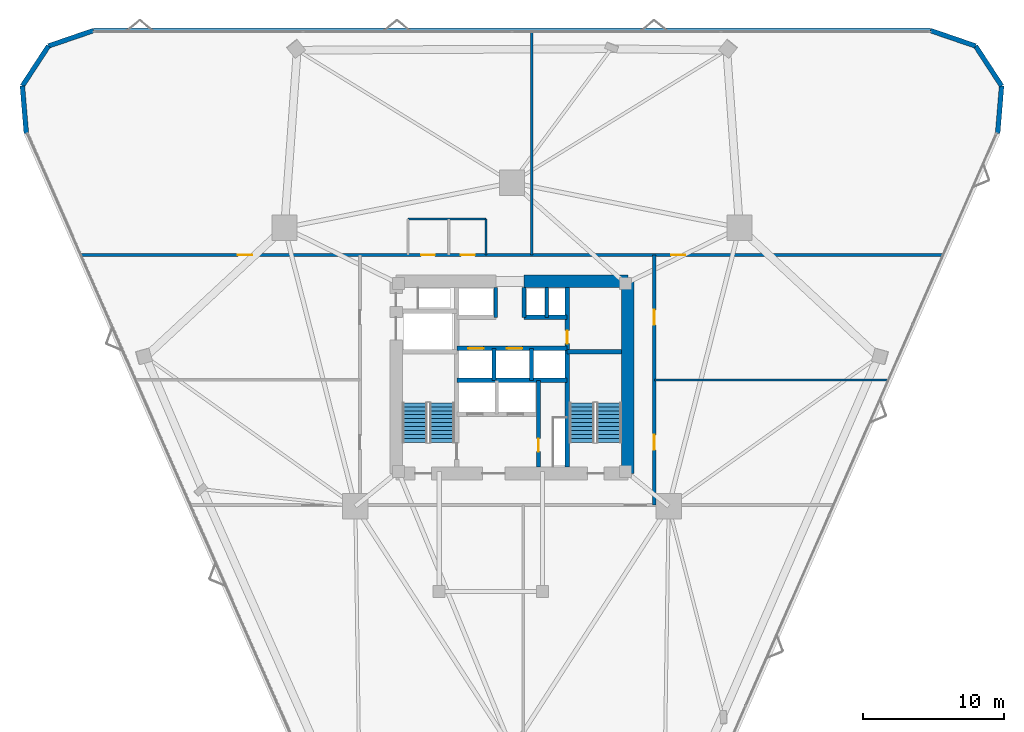
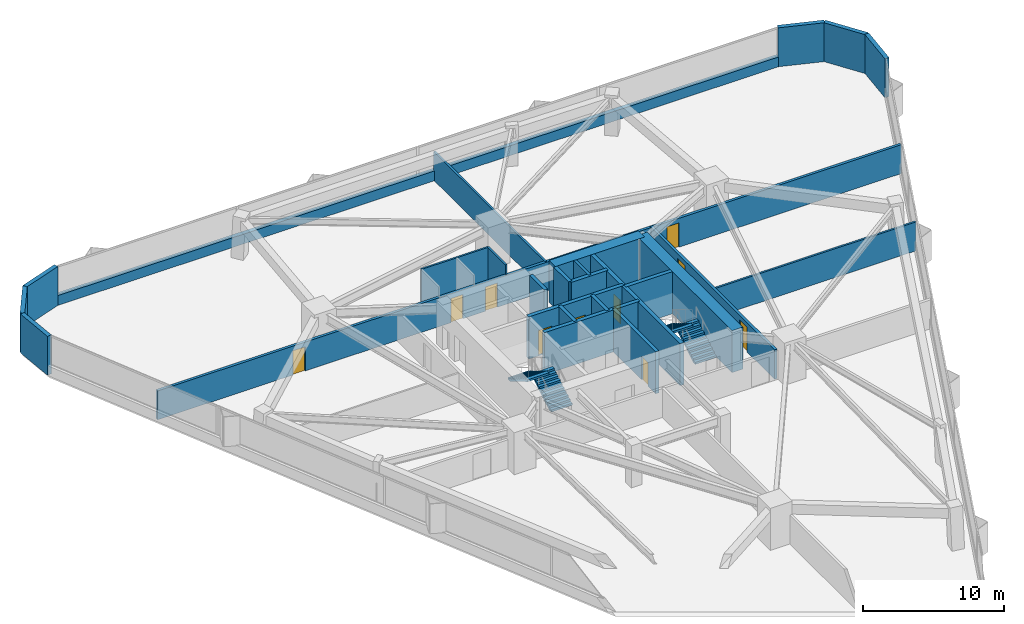
# One storey, part 19 of 20: 26 walls, 10 doors, 4 stair flights, 10 openings, 2 elements without a shape of their own.
"""IFC4 building model written with IfcOpenShell, lengths in metres."""

from ifc_helpers import new_model, si_unit, direction, frame, frame_2d, origin, place, context, subcontext, project, spatial, polyline, rectangle, outline, extrude, material, layer, layer_set, type_object, element, fill, aggregate, save


model = new_model("IFC4")

# Units and contexts
model_context = context("Model", 3, precision=1e-05, world=origin(), true_north=direction((0.0, 1.0)))
body_context = subcontext(model_context, "Body", "Model", "MODEL_VIEW")
ifc_project = project(units=[si_unit("LENGTHUNIT", "METRE"), si_unit("AREAUNIT", "SQUARE_METRE"), si_unit("VOLUMEUNIT", "CUBIC_METRE"), si_unit("PLANEANGLEUNIT", "RADIAN"), si_unit("MASSUNIT", "GRAM", prefix="KILO")], contexts=[model_context])

# Site, building, storey
site_placement = place(None, origin())
site = spatial("IfcSite", under=ifc_project, at=site_placement, CompositionType="ELEMENT")
building_placement = place(site_placement, origin())
building = spatial("IfcBuilding", under=site, at=building_placement, Name="Talyreon Biosciences Tower", CompositionType="ELEMENT")
storey_placement = place(building_placement, frame((0.0, 0.0, 30.10009765625)))
storey = spatial("IfcBuildingStorey", under=building, at=storey_placement, Name="L07", CompositionType="ELEMENT", Elevation=30.10009765625)

# Walls
ifc_material_1 = material(Name="Concrete C50/60", Category="concrete")
ifc_layer_1 = layer(ifc_material_1, 0.219970703125)
ifc_layer_set_1 = layer_set([ifc_layer_1], Name="Concrete C50/60")
wall_type_1 = type_object("IfcWallType", Name="CoreShearWall_220", PredefinedType="SHEAR", material=ifc_layer_set_1)
wall_1_placement = place(storey_placement, frame((68.4599609375, 72.25, 0.0), z_axis=(0.0, 0.0, 1.0), x_axis=(0.0, 1.0, 0.0)))
element("IfcWall", 1, at=wall_1_placement, inside=storey, type_object=wall_type_1, Name="L07 Core Shaft Wall SWPHD", PredefinedType="SHEAR", context=body_context, shape_type="SweptSolid", body=[
    extrude(rectangle(XDim=2.10009765625, YDim=0.219970703125, at=frame_2d((1.050048828125, 0.0))), origin(), (0.0, 0.0, 1.0), 3.64990234375),
])
ifc_layer_2 = layer(ifc_material_1, 0.280029296875)
ifc_layer_set_2 = layer_set([ifc_layer_2], Name="Concrete C50/60")
wall_type_2 = type_object("IfcWallType", Name="CoreShearWall_280", PredefinedType="SHEAR", material=ifc_layer_set_2)
for number, where, z_axis, x_axis, name in (
    (2, (64.85009765625, 72.25, 0.0), (0.0, 0.0, 1.0), (0.0, 1.0, 0.0), "L07 Core Shaft Wall SWTHW"),
    (3, (66.85009765625, 72.25, 0.0), (0.0, 0.0, 1.0), (0.0, 1.0, 0.0), "L07 Core Shaft Wall SWTHE"),
):
    element("IfcWall", number, at=place(storey_placement, frame(where, z_axis=z_axis, x_axis=x_axis)), inside=storey, type_object=wall_type_2, Name=name, PredefinedType="SHEAR", context=body_context, shape_type="SweptSolid", body=[
        extrude(rectangle(XDim=2.10009765625, YDim=0.280029296875, at=frame_2d((1.050048828125, 0.0))), origin(), (0.0, 0.0, 1.0), 3.64990234375),
    ])

# Wall, opening, door
wall_2_placement = place(storey_placement, frame((67.8798828125, 61.64990234375, 0.0), z_axis=(0.0, 0.0, 1.0), x_axis=(0.0, 1.0, 0.0)))
wall_2 = element("IfcWall", 4, at=wall_2_placement, inside=storey, type_object=wall_type_2, Name="L07 Core Shaft Wall SWFFE", PredefinedType="SHEAR", context=body_context, shape_type="SweptSolid", body=[
    extrude(rectangle(XDim=6.150146484375, YDim=0.280029296875, at=frame_2d((3.0751953125, 0.0))), origin(), (0.0, 0.0, 1.0), 3.64990234375),
])
opening_1_placement = place(wall_2_placement, frame((1.10009765625, 0.0, 0.0)))
opening_1 = element("IfcOpeningElement", 5, at=opening_1_placement, cuts=wall_2, Name="Opening DR-L07-RSE", PredefinedType="OPENING", context=body_context, shape_type="SweptSolid", body=[
    extrude(rectangle(XDim=0.919921875, YDim=2.050048828125, at=frame_2d((0.4599609375, 1.02490234375))), frame((0.0, 0.14990234375, 0.0), z_axis=(0.0, -1.0, 0.0), x_axis=(1.0, 0.0, 0.0)), (0.0, 0.0, 1.0), 0.300048828125),
])
ifc_material_2 = material(Name="Painted steel fire-rated riser door", Category="steel")
door_type_1 = type_object("IfcDoorType", Name="RiserPlantAccessDoor_920x2050", OperationType="NOTDEFINED", PredefinedType="DOOR", material=ifc_material_2)
door_1_placement = place(opening_1_placement, origin())
door_1 = element("IfcDoor", 6, at=door_1_placement, inside=storey, type_object=door_type_1, Name="L07 Core Door DR-L07-RSE", OperationType="SINGLE_SWING_RIGHT", OverallHeight=2.050048828125, OverallWidth=0.919921875, PredefinedType="DOOR", context=body_context, shape_type="SweptSolid", body=[
    extrude(rectangle(XDim=0.919921875, YDim=2.050048828125, at=frame_2d((0.4599609375, 1.02490234375))), frame((0.0, 0.02490234375, 0.0), z_axis=(0.0, -1.0, 0.0), x_axis=(1.0, 0.0, 0.0)), (0.0, 0.0, 1.0), 0.050048828125),
])
fill(opening_1, door_1)

# Walls
for number, where, z_axis, x_axis, name in (
    (7, (64.719970703125, 67.800048828125, 0.0), (0.0, 0.0, 1.0), (0.0, 1.0, 0.0), "L07 Core Shaft Wall SWPLD"),
    (8, (67.3798828125, 67.800048828125, 0.0), (0.0, 0.0, 1.0), (0.0, 1.0, 0.0), "L07 Core Shaft Wall SWPMD"),
):
    element("IfcWall", number, at=place(storey_placement, frame(where, z_axis=z_axis, x_axis=x_axis)), inside=storey, type_object=wall_type_2, Name=name, PredefinedType="SHEAR", context=body_context, shape_type="SweptSolid", body=[
        extrude(rectangle(XDim=2.25, YDim=0.280029296875, at=frame_2d((1.125, 0.0))), origin(), (0.0, 0.0, 1.0), 3.64990234375),
    ])

# Wall, opening, door
ifc_layer_3 = layer(ifc_material_1, 0.320068359375)
ifc_layer_set_3 = layer_set([ifc_layer_3], Name="Concrete C50/60")
wall_type_3 = type_object("IfcWallType", Name="CoreShearWall_320", PredefinedType="SHEAR", material=ifc_layer_set_3)
wall_3_placement = place(storey_placement, frame((69.909912109375, 61.64990234375, 0.0), z_axis=(0.0, 0.0, 1.0), x_axis=(0.0, 1.0, 0.0)))
wall_3 = element("IfcWall", 9, at=wall_3_placement, inside=storey, type_object=wall_type_3, Name="L07 Core Shaft Wall SW2W", PredefinedType="SHEAR", context=body_context, shape_type="SweptSolid", body=[
    extrude(rectangle(XDim=12.7001953125, YDim=0.320068359375, at=frame_2d((6.35009765625, 0.0))), origin(), (0.0, 0.0, 1.0), 3.64990234375),
])
opening_2_placement = place(wall_3_placement, frame((8.75, 0.0, 0.0)))
opening_2 = element("IfcOpeningElement", 10, at=opening_2_placement, cuts=wall_3, Name="Opening DR-L07-CSRV", PredefinedType="OPENING", context=body_context, shape_type="SweptSolid", body=[
    extrude(rectangle(XDim=0.919921875, YDim=2.050048828125, at=frame_2d((0.4599609375, 1.02490234375))), frame((0.0, 0.169921875, 0.0), z_axis=(0.0, -1.0, 0.0), x_axis=(1.0, 0.0, 0.0)), (0.0, 0.0, 1.0), 0.340087890625),
])
door_2_placement = place(opening_2_placement, origin())
door_2 = element("IfcDoor", 11, at=door_2_placement, inside=storey, type_object=door_type_1, Name="L07 Core Door DR-L07-CSRV", OperationType="SINGLE_SWING_RIGHT", OverallHeight=2.050048828125, OverallWidth=0.919921875, PredefinedType="DOOR", context=body_context, shape_type="SweptSolid", body=[
    extrude(rectangle(XDim=0.919921875, YDim=2.050048828125, at=frame_2d((0.4599609375, 1.02490234375))), frame((0.0, 0.02490234375, 0.0), z_axis=(0.0, -1.0, 0.0), x_axis=(1.0, 0.0, 0.0)), (0.0, 0.0, 1.0), 0.050048828125),
])
fill(opening_2, door_2)

# Walls
wall_4_placement = place(storey_placement, frame((69.909912109375, 69.81005859375, 0.0), z_axis=(0.0, 0.0, 1.0), x_axis=(1.0, 0.0, 0.0)))
element("IfcWall", 12, at=wall_4_placement, inside=storey, type_object=wall_type_3, Name="L07 Core Shaft Wall SW2N", PredefinedType="SHEAR", context=body_context, shape_type="SweptSolid", body=[
    extrude(rectangle(XDim=3.840087890625, YDim=0.320068359375, at=frame_2d((1.919921875, 0.0))), origin(), (0.0, 0.0, 1.0), 3.64990234375),
])
wall_5_placement = place(storey_placement, frame((62.090087890625, 67.800048828125, 0.0), z_axis=(0.0, 0.0, 1.0), x_axis=(1.0, 0.0, 0.0)))
element("IfcWall", 13, at=wall_5_placement, inside=storey, type_object=wall_type_3, Name="L07 Core Shaft Wall SWSHM", PredefinedType="SHEAR", context=body_context, shape_type="SweptSolid", body=[
    extrude(rectangle(XDim=7.81982421875, YDim=0.320068359375, at=frame_2d((3.909912109375, 0.0))), origin(), (0.0, 0.0, 1.0), 3.64990234375),
])

# Wall, openings, doors
wall_6_placement = place(storey_placement, frame((62.090087890625, 70.050048828125, 0.0), z_axis=(0.0, 0.0, 1.0), x_axis=(1.0, 0.0, 0.0)))
wall_6 = element("IfcWall", 14, at=wall_6_placement, inside=storey, type_object=wall_type_3, Name="L07 Core Shaft Wall SWSPN", PredefinedType="SHEAR", context=body_context, shape_type="SweptSolid", body=[
    extrude(rectangle(XDim=7.81982421875, YDim=0.320068359375, at=frame_2d((3.909912109375, 0.0))), origin(), (0.0, 0.0, 1.0), 3.64990234375),
])
opening_3_placement = place(wall_6_placement, frame((0.800048828125, 0.0, 0.0)))
opening_3 = element("IfcOpeningElement", 15, at=opening_3_placement, cuts=wall_6, Name="Opening LD-L07-PL1", PredefinedType="OPENING", context=body_context, shape_type="SweptSolid", body=[
    extrude(rectangle(XDim=1.10009765625, YDim=2.199951171875, at=frame_2d((0.550048828125, 1.10009765625))), frame((0.0, 0.169921875, 0.0), z_axis=(0.0, -1.0, 0.0), x_axis=(1.0, 0.0, 0.0)), (0.0, 0.0, 1.0), 0.340087890625),
])
opening_4_placement = place(wall_6_placement, frame((3.550048828125, 0.0, 0.0)))
opening_4 = element("IfcOpeningElement", 16, at=opening_4_placement, cuts=wall_6, Name="Opening LD-L07-PL2", PredefinedType="OPENING", context=body_context, shape_type="SweptSolid", body=[
    extrude(rectangle(XDim=1.10009765625, YDim=2.199951171875, at=frame_2d((0.550048828125, 1.10009765625))), frame((0.0, 0.169921875, 0.0), z_axis=(0.0, -1.0, 0.0), x_axis=(1.0, 0.0, 0.0)), (0.0, 0.0, 1.0), 0.340087890625),
])
ifc_material_3 = material(Name="Brushed stainless-steel lift landing door", Category="steel")
door_type_2 = type_object("IfcDoorType", Name="LiftSlidingLandingDoor_1100x2200", OperationType="SLIDING_TO_LEFT", PredefinedType="DOOR", material=ifc_material_3)
door_3_placement = place(opening_3_placement, origin())
door_3 = element("IfcDoor", 17, at=door_3_placement, inside=storey, type_object=door_type_2, Name="L07 Core Door LD-L07-PL1", OperationType="SLIDING_TO_LEFT", OverallHeight=2.199951171875, OverallWidth=1.10009765625, PredefinedType="DOOR", context=body_context, shape_type="SweptSolid", body=[
    extrude(rectangle(XDim=1.10009765625, YDim=2.199951171875, at=frame_2d((0.550048828125, 1.10009765625))), frame((0.0, 0.02490234375, 0.0), z_axis=(0.0, -1.0, 0.0), x_axis=(1.0, 0.0, 0.0)), (0.0, 0.0, 1.0), 0.050048828125),
])
fill(opening_3, door_3)
door_4_placement = place(opening_4_placement, origin())
door_4 = element("IfcDoor", 18, at=door_4_placement, inside=storey, type_object=door_type_2, Name="L07 Core Door LD-L07-PL2", OperationType="SLIDING_TO_LEFT", OverallHeight=2.199951171875, OverallWidth=1.10009765625, PredefinedType="DOOR", context=body_context, shape_type="SweptSolid", body=[
    extrude(rectangle(XDim=1.10009765625, YDim=2.199951171875, at=frame_2d((0.550048828125, 1.10009765625))), frame((0.0, 0.02490234375, 0.0), z_axis=(0.0, -1.0, 0.0), x_axis=(1.0, 0.0, 0.0)), (0.0, 0.0, 1.0), 0.050048828125),
])
fill(opening_4, door_4)

# Walls
wall_7_placement = place(storey_placement, frame((66.85009765625, 72.25, 0.0), z_axis=(0.0, 0.0, 1.0), x_axis=(1.0, 0.0, 0.0)))
element("IfcWall", 19, at=wall_7_placement, inside=storey, type_object=wall_type_3, Name="L07 Core Shaft Wall SWNPE", PredefinedType="SHEAR", context=body_context, shape_type="SweptSolid", body=[
    extrude(rectangle(XDim=3.059814453125, YDim=0.320068359375, at=frame_2d((1.52978515625, 0.0))), origin(), (0.0, 0.0, 1.0), 3.64990234375),
])
ifc_material_4 = material(Name="Concrete C60/75", Category="concrete")
ifc_layer_4 = layer(ifc_material_4, 0.89990234375)
ifc_layer_set_4 = layer_set([ifc_layer_4], Name="Concrete C60/75")
wall_type_4 = type_object("IfcWallType", Name="CoreShearWall_900", PredefinedType="SHEAR", material=ifc_layer_set_4)
wall_8_placement = place(storey_placement, frame((74.199951171875, 61.199951171875, 0.0), z_axis=(0.0, 0.0, 1.0), x_axis=(0.0, 1.0, 0.0)))
element("IfcWall", 20, at=wall_8_placement, inside=storey, type_object=wall_type_4, Name="L07 Core Shear Wall E", PredefinedType="SHEAR", context=body_context, shape_type="SweptSolid", body=[
    extrude(rectangle(XDim=13.60009765625, YDim=0.89990234375, at=frame_2d((6.800048828125, 0.0))), origin(), (0.0, 0.0, 1.0), 3.64990234375),
])
wall_9_placement = place(storey_placement, frame((74.199951171875, 74.800048828125, 0.0), z_axis=(0.0, 0.0, 1.0), x_axis=(-1.0, 0.0, 0.0)))
element("IfcWall", 21, at=wall_9_placement, inside=storey, type_object=wall_type_4, Name="L07 Core Shear Wall NE", PredefinedType="SHEAR", context=body_context, shape_type="SweptSolid", body=[
    extrude(rectangle(XDim=7.349853515625, YDim=0.89990234375, at=frame_2d((3.6748046875, 0.0))), origin(), (0.0, 0.0, 1.0), 3.64990234375),
])

# Wall, openings, doors
ifc_material_5 = material(Name="Gypsum fireboard acoustic stud", Category="gypsum")
ifc_layer_5 = layer(ifc_material_5, 0.219970703125)
ifc_layer_set_5 = layer_set([ifc_layer_5], Name="Gypsum fireboard acoustic stud")
wall_type_5 = type_object("IfcWallType", Name="CorridorRatedPartition_220", PredefinedType="PARTITIONING", material=ifc_layer_set_5)
wall_10_placement = place(storey_placement, frame((35.485595703125, 76.669921875, 0.0), z_axis=(0.0, 0.0, 1.0), x_axis=(1.0, 0.0, 0.0)))
wall_10 = element("IfcWall", 22, at=wall_10_placement, inside=storey, type_object=wall_type_5, Name="L07 Interior Wall IW-L07-COR-N", PredefinedType="PARTITIONING", context=body_context, shape_type="SweptSolid", body=[
    extrude(rectangle(XDim=61.02880859375, YDim=0.219970703125, at=frame_2d((30.514404296875, 0.0))), origin(), (0.0, 0.0, 1.0), 2.5048828125),
])
opening_5_placement = place(wall_10_placement, frame((24.073974609375, 0.0, 0.0)))
opening_5 = element("IfcOpeningElement", 23, at=opening_5_placement, cuts=wall_10, Name="Opening DR-L07-WC", PredefinedType="OPENING", context=body_context, shape_type="SweptSolid", body=[
    extrude(rectangle(XDim=0.97998046875, YDim=2.10009765625, at=frame_2d((0.489990234375, 1.050048828125))), frame((0.0, 0.119873046875, 0.0), z_axis=(0.0, -1.0, 0.0), x_axis=(1.0, 0.0, 0.0)), (0.0, 0.0, 1.0), 0.239990234375),
])
opening_6_placement = place(wall_10_placement, frame((26.89892578125, 0.0, 0.0)))
opening_6 = element("IfcOpeningElement", 24, at=opening_6_placement, cuts=wall_10, Name="Opening DR-L07-AWC", PredefinedType="OPENING", context=body_context, shape_type="SweptSolid", body=[
    extrude(rectangle(XDim=0.97998046875, YDim=2.10009765625, at=frame_2d((0.489990234375, 1.050048828125))), frame((0.0, 0.119873046875, 0.0), z_axis=(0.0, -1.0, 0.0), x_axis=(1.0, 0.0, 0.0)), (0.0, 0.0, 1.0), 0.239990234375),
])
opening_7_placement = place(wall_10_placement, frame((11.116943359375, 0.0, 0.0)))
opening_7 = element("IfcOpeningElement", 25, at=opening_7_placement, cuts=wall_10, Name="Opening DR-L07-N1A", PredefinedType="OPENING", context=body_context, shape_type="SweptSolid", body=[
    extrude(rectangle(XDim=1.0, YDim=2.10009765625, at=frame_2d((0.5, 1.050048828125))), frame((0.0, 0.119873046875, 0.0), z_axis=(0.0, -1.0, 0.0), x_axis=(1.0, 0.0, 0.0)), (0.0, 0.0, 1.0), 0.239990234375),
])
opening_8_placement = place(wall_10_placement, frame((41.782958984375, 0.0, 0.0)))
opening_8 = element("IfcOpeningElement", 26, at=opening_8_placement, cuts=wall_10, Name="Opening DR-L07-N2A", PredefinedType="OPENING", context=body_context, shape_type="SweptSolid", body=[
    extrude(rectangle(XDim=1.0, YDim=2.10009765625, at=frame_2d((0.5, 1.050048828125))), frame((0.0, 0.119873046875, 0.0), z_axis=(0.0, -1.0, 0.0), x_axis=(1.0, 0.0, 0.0)), (0.0, 0.0, 1.0), 0.239990234375),
])
ifc_material_6 = material(Name="Laminate moisture-resistant door", Category="wood")
door_type_3 = type_object("IfcDoorType", Name="AccessibleToiletDoor_980x2100", OperationType="NOTDEFINED", PredefinedType="DOOR", material=ifc_material_6)
door_5_placement = place(opening_5_placement, origin())
door_5 = element("IfcDoor", 27, at=door_5_placement, inside=storey, type_object=door_type_3, Name="L07 Interior Door DR-L07-WC", OperationType="SINGLE_SWING_LEFT", OverallHeight=2.10009765625, OverallWidth=0.97998046875, PredefinedType="DOOR", context=body_context, shape_type="SweptSolid", body=[
    extrude(rectangle(XDim=0.97998046875, YDim=2.10009765625, at=frame_2d((0.489990234375, 1.050048828125))), frame((0.0, 0.02490234375, 0.0), z_axis=(0.0, -1.0, 0.0), x_axis=(1.0, 0.0, 0.0)), (0.0, 0.0, 1.0), 0.050048828125),
])
fill(opening_5, door_5)
door_6_placement = place(opening_6_placement, origin())
door_6 = element("IfcDoor", 28, at=door_6_placement, inside=storey, type_object=door_type_3, Name="L07 Interior Door DR-L07-AWC", OperationType="SINGLE_SWING_RIGHT", OverallHeight=2.10009765625, OverallWidth=0.97998046875, PredefinedType="DOOR", context=body_context, shape_type="SweptSolid", body=[
    extrude(rectangle(XDim=0.97998046875, YDim=2.10009765625, at=frame_2d((0.489990234375, 1.050048828125))), frame((0.0, 0.02490234375, 0.0), z_axis=(0.0, -1.0, 0.0), x_axis=(1.0, 0.0, 0.0)), (0.0, 0.0, 1.0), 0.050048828125),
])
fill(opening_6, door_6)
ifc_material_7 = material(Name="Acoustic oak veneer office door", Category="wood")
door_type_4 = type_object("IfcDoorType", Name="WriteupOfficeDoor_1000x2100", OperationType="NOTDEFINED", PredefinedType="DOOR", material=ifc_material_7)
door_7_placement = place(opening_7_placement, origin())
door_7 = element("IfcDoor", 29, at=door_7_placement, inside=storey, type_object=door_type_4, Name="L07 Interior Door DR-L07-N1A", OperationType="SINGLE_SWING_RIGHT", OverallHeight=2.10009765625, OverallWidth=1.0, PredefinedType="DOOR", context=body_context, shape_type="SweptSolid", body=[
    extrude(rectangle(XDim=1.0, YDim=2.10009765625, at=frame_2d((0.5, 1.050048828125))), frame((0.0, 0.02490234375, 0.0), z_axis=(0.0, -1.0, 0.0), x_axis=(1.0, 0.0, 0.0)), (0.0, 0.0, 1.0), 0.050048828125),
])
fill(opening_7, door_7)
door_8_placement = place(opening_8_placement, origin())
door_8 = element("IfcDoor", 30, at=door_8_placement, inside=storey, type_object=door_type_4, Name="L07 Interior Door DR-L07-N2A", OperationType="SINGLE_SWING_LEFT", OverallHeight=2.10009765625, OverallWidth=1.0, PredefinedType="DOOR", context=body_context, shape_type="SweptSolid", body=[
    extrude(rectangle(XDim=1.0, YDim=2.10009765625, at=frame_2d((0.5, 1.050048828125))), frame((0.0, 0.02490234375, 0.0), z_axis=(0.0, -1.0, 0.0), x_axis=(1.0, 0.0, 0.0)), (0.0, 0.0, 1.0), 0.050048828125),
])
fill(opening_8, door_8)

wall_11_placement = place(storey_placement, frame((76.070068359375, 58.97998046875, 0.0), z_axis=(0.0, 0.0, 1.0), x_axis=(0.0, 1.0, 0.0)))
wall_11 = element("IfcWall", 31, at=wall_11_placement, inside=storey, type_object=wall_type_5, Name="L07 Interior Wall IW-L07-COR-E", PredefinedType="PARTITIONING", context=body_context, shape_type="SweptSolid", body=[
    extrude(rectangle(XDim=17.68994140625, YDim=0.219970703125, at=frame_2d((8.844970703125, 0.0))), origin(), (0.0, 0.0, 1.0), 2.554931640625),
])
opening_9_placement = place(wall_11_placement, frame((3.89794921875, 0.0, 0.0)))
opening_9 = element("IfcOpeningElement", 32, at=opening_9_placement, cuts=wall_11, Name="Opening DR-L07-E1A", PredefinedType="OPENING", context=body_context, shape_type="SweptSolid", body=[
    extrude(rectangle(XDim=1.050048828125, YDim=2.14990234375, at=frame_2d((0.52490234375, 1.074951171875))), frame((0.0, 0.119873046875, 0.0), z_axis=(0.0, -1.0, 0.0), x_axis=(1.0, 0.0, 0.0)), (0.0, 0.0, 1.0), 0.239990234375),
])
opening_10_placement = place(wall_11_placement, frame((12.742919921875, 0.0, 0.0)))
opening_10 = element("IfcOpeningElement", 33, at=opening_10_placement, cuts=wall_11, Name="Opening DR-L07-E2A", PredefinedType="OPENING", context=body_context, shape_type="SweptSolid", body=[
    extrude(rectangle(XDim=1.050048828125, YDim=2.14990234375, at=frame_2d((0.52490234375, 1.074951171875))), frame((0.0, 0.119873046875, 0.0), z_axis=(0.0, -1.0, 0.0), x_axis=(1.0, 0.0, 0.0)), (0.0, 0.0, 1.0), 0.239990234375),
])
ifc_material_8 = material(Name="Acoustic timber-core laboratory door", Category="wood")
door_type_5 = type_object("IfcDoorType", Name="DryLabSingleDoor_1050x2150", OperationType="NOTDEFINED", PredefinedType="DOOR", material=ifc_material_8)
door_9_placement = place(opening_9_placement, origin())
door_9 = element("IfcDoor", 34, at=door_9_placement, inside=storey, type_object=door_type_5, Name="L07 Interior Door DR-L07-E1A", OperationType="SINGLE_SWING_RIGHT", OverallHeight=2.14990234375, OverallWidth=1.050048828125, PredefinedType="DOOR", context=body_context, shape_type="SweptSolid", body=[
    extrude(rectangle(XDim=1.050048828125, YDim=2.14990234375, at=frame_2d((0.52490234375, 1.074951171875))), frame((0.0, 0.02490234375, 0.0), z_axis=(0.0, -1.0, 0.0), x_axis=(1.0, 0.0, 0.0)), (0.0, 0.0, 1.0), 0.050048828125),
])
fill(opening_9, door_9)
door_10_placement = place(opening_10_placement, origin())
door_10 = element("IfcDoor", 35, at=door_10_placement, inside=storey, type_object=door_type_5, Name="L07 Interior Door DR-L07-E2A", OperationType="SINGLE_SWING_RIGHT", OverallHeight=2.14990234375, OverallWidth=1.050048828125, PredefinedType="DOOR", context=body_context, shape_type="SweptSolid", body=[
    extrude(rectangle(XDim=1.050048828125, YDim=2.14990234375, at=frame_2d((0.52490234375, 1.074951171875))), frame((0.0, 0.02490234375, 0.0), z_axis=(0.0, -1.0, 0.0), x_axis=(1.0, 0.0, 0.0)), (0.0, 0.0, 1.0), 0.050048828125),
])
fill(opening_10, door_10)

# Walls
ifc_material_9 = material(Name="Gypsum acoustic stud partition", Category="gypsum")
ifc_layer_6 = layer(ifc_material_9, 0.159912109375)
ifc_layer_set_6 = layer_set([ifc_layer_6], Name="Gypsum acoustic stud partition")
wall_type_6 = type_object("IfcWallType", Name="LabSeparationPartition_160", PredefinedType="PARTITIONING", material=ifc_layer_set_6)
wall_12_placement = place(storey_placement, frame((67.39990234375, 76.669921875, 0.0), z_axis=(0.0, 0.0, 1.0), x_axis=(0.0, 1.0, 0.0)))
element("IfcWall", 36, at=wall_12_placement, inside=storey, type_object=wall_type_6, Name="L07 Interior Wall IW-L07-NDIV1", PredefinedType="PARTITIONING", context=body_context, shape_type="SweptSolid", body=[
    extrude(rectangle(XDim=15.79931640625, YDim=0.159912109375, at=frame_2d((7.899658203125, 0.0))), origin(), (0.0, 0.0, 1.0), 2.5048828125),
])
wall_13_placement = place(storey_placement, frame((76.070068359375, 67.824951171875, 0.0), z_axis=(0.0, 0.0, 1.0), x_axis=(1.0, 0.0, 0.0)))
element("IfcWall", 37, at=wall_13_placement, inside=storey, type_object=wall_type_6, Name="L07 Interior Wall IW-L07-EDIV1", PredefinedType="PARTITIONING", context=body_context, shape_type="SweptSolid", body=[
    extrude(rectangle(XDim=16.568603515625, YDim=0.159912109375, at=frame_2d((8.2841796875, 0.0))), origin(), (0.0, 0.0, 1.0), 2.5048828125),
])
ifc_material_10 = material(Name="Precast concrete C45/55", Category="concrete")
ifc_layer_7 = layer(ifc_material_10, 0.340087890625)
ifc_layer_set_7 = layer_set([ifc_layer_7], Name="Precast concrete C45/55")
wall_type_7 = type_object("IfcWallType", Name="PrecastConcreteSpandrelWall_340", PredefinedType="STANDARD", material=ifc_layer_set_7)
for number, where, z_axis, x_axis, name in (
    (38, (31.62548828125, 85.267333984375, 0.0), (0.0, 0.0, 1.0), (-0.082219589929, 0.996614237823, 0.0), "L07 Rounded-Corner Concrete Pier 01"),
    (39, (31.347900390625, 88.632080078125, 0.0), (0.0, 0.0, 1.0), (0.547101286482, 0.837066414527, 0.0), "L07 Rounded-Corner Concrete Pier 02"),
    (40, (33.195068359375, 91.458251953125, 0.0), (0.0, 0.0, 1.0), (0.945847654718, 0.324610865599, 0.0), "L07 Rounded-Corner Concrete Pier 03"),
):
    element("IfcWall", number, at=place(storey_placement, frame(where, z_axis=z_axis, x_axis=x_axis)), inside=storey, type_object=wall_type_7, Name=name, PredefinedType="STANDARD", context=body_context, shape_type="SweptSolid", body=[
        extrude(rectangle(XDim=3.376220703125, YDim=0.340087890625, at=frame_2d((1.68798828125, 0.0))), origin(), (0.0, 0.0, 1.0), 3.375),
    ])
wall_14_placement = place(storey_placement, frame((36.388427734375, 92.55419921875, 0.0), z_axis=(0.0, 0.0, 1.0), x_axis=(1.0, 0.0, 0.0)))
element("IfcWall", 41, at=wall_14_placement, inside=storey, type_object=wall_type_7, Name="L07 Expressed Concrete Sill Wall 04", PredefinedType="STANDARD", context=body_context, shape_type="SweptSolid", body=[
    extrude(rectangle(XDim=59.22314453125, YDim=0.340087890625, at=frame_2d((29.611572265625, 0.0))), origin(), (0.0, 0.0, 1.0), 0.849853515625),
])
for number, where, z_axis, x_axis, name in (
    (42, (95.611572265625, 92.55419921875, 0.0), (0.0, 0.0, 1.0), (0.945847654718, -0.324610865599, 0.0), "L07 Rounded-Corner Concrete Pier 05"),
    (43, (98.804931640625, 91.458251953125, 0.0), (0.0, 0.0, 1.0), (0.547101286482, -0.837066414527, 0.0), "L07 Rounded-Corner Concrete Pier 06"),
    (44, (100.652099609375, 88.632080078125, 0.0), (0.0, 0.0, 1.0), (-0.082219589929, -0.996614237823, 0.0), "L07 Rounded-Corner Concrete Pier 07"),
):
    element("IfcWall", number, at=place(storey_placement, frame(where, z_axis=z_axis, x_axis=x_axis)), inside=storey, type_object=wall_type_7, Name=name, PredefinedType="STANDARD", context=body_context, shape_type="SweptSolid", body=[
        extrude(rectangle(XDim=3.376220703125, YDim=0.340087890625, at=frame_2d((1.68798828125, 0.0))), origin(), (0.0, 0.0, 1.0), 3.375),
    ])
ifc_material_11 = material(Name="Moisture-resistant cement-board stud", Category="gypsum")
ifc_layer_8 = layer(ifc_material_11, 0.14501953125)
ifc_layer_set_8 = layer_set([ifc_layer_8], Name="Moisture-resistant cement-board stud")
wall_type_8 = type_object("IfcWallType", Name="WetRoomPartition_145", PredefinedType="PARTITIONING", material=ifc_layer_set_8)
wall_15_placement = place(storey_placement, frame((64.14990234375, 76.669921875, 0.0), z_axis=(0.0, 0.0, 1.0), x_axis=(0.0, 1.0, 0.0)))
element("IfcWall", 45, at=wall_15_placement, inside=storey, type_object=wall_type_8, Name="L07 Interior Wall IW-L07-WCR", PredefinedType="PARTITIONING", context=body_context, shape_type="SweptSolid", body=[
    extrude(rectangle(XDim=2.550048828125, YDim=0.14501953125, at=frame_2d((1.27490234375, 0.0))), origin(), (0.0, 0.0, 1.0), 3.375),
])
wall_16_placement = place(storey_placement, frame((58.64990234375, 79.219970703125, 0.0), z_axis=(0.0, 0.0, 1.0), x_axis=(1.0, 0.0, 0.0)))
element("IfcWall", 46, at=wall_16_placement, inside=storey, type_object=wall_type_8, Name="L07 Interior Wall IW-L07-WCT", PredefinedType="PARTITIONING", context=body_context, shape_type="SweptSolid", body=[
    extrude(rectangle(XDim=5.5, YDim=0.14501953125, at=frame_2d((2.75, 0.0))), origin(), (0.0, 0.0, 1.0), 3.375),
])

# Stair, stair flights
ifc_material_12 = material(Name="Concrete C40/50", Category="concrete")
stair_type = type_object("IfcStairType", Name="DoglegEscapeStair_3650", PredefinedType="HALF_TURN_STAIR", material=ifc_material_12)
stair_1_placement = place(storey_placement, origin())
stair_1 = element("IfcStair", 47, at=stair_1_placement, inside=storey, type_object=stair_type, Name="L07 Core Escape Stair 1", PredefinedType="HALF_TURN_STAIR")
stair_flight_type = type_object("IfcStairFlightType", Name="PrecastStairFlight_3650", PredefinedType="STRAIGHT", material=ifc_material_12)
stair_flight_1_placement = place(storey_placement, frame((61.06005859375, 63.39990234375, 0.0), z_axis=(0.0, 0.0, 1.0), x_axis=(0.0, 1.0, 0.0)))
stair_flight_1 = element("IfcStairFlight", 48, at=stair_flight_1_placement, type_object=stair_flight_type, Name="ST-1 flight 1", NumberOfRisers=11, NumberOfTreads=10, PredefinedType="STRAIGHT", RiserHeight=0.165909091, TreadLength=0.28, context=body_context, shape_type="SweptSolid", body=[
    extrude(outline(polyline([(0.0, 0.0), (0.0, 0.166015625), (0.280029296875, 0.166015625), (0.280029296875, 0.331787109375), (0.56005859375, 0.331787109375), (0.56005859375, 0.497802734375), (0.840087890625, 0.497802734375), (0.840087890625, 0.66357421875), (1.1201171875, 0.66357421875), (1.1201171875, 0.82958984375), (1.39990234375, 0.82958984375), (1.39990234375, 0.995361328125), (1.679931640625, 0.995361328125), (1.679931640625, 1.161376953125), (1.9599609375, 1.161376953125), (1.9599609375, 1.327392578125), (2.239990234375, 1.327392578125), (2.239990234375, 1.4931640625), (2.52001953125, 1.4931640625), (2.52001953125, 1.6591796875), (2.800048828125, 1.6591796875), (2.800048828125, 1.824951171875), (2.800048828125, 1.48486328125), (0.2939453125, 0.0), (0.0, 0.0)])), frame((0.0, 0.8701171875, 0.0), z_axis=(0.0, -1.0, 0.0), x_axis=(1.0, 0.0, 0.0)), (0.0, 0.0, 1.0), 1.739990234375),
])
stair_flight_2_placement = place(storey_placement, frame((59.1201171875, 66.199951171875, 1.824951171875), z_axis=(0.0, 0.0, 1.0), x_axis=(0.0, -1.0, 0.0)))
stair_flight_2 = element("IfcStairFlight", 49, at=stair_flight_2_placement, type_object=stair_flight_type, Name="ST-1 flight 2", NumberOfRisers=11, NumberOfTreads=10, PredefinedType="STRAIGHT", RiserHeight=0.165909091, TreadLength=0.28, context=body_context, shape_type="SweptSolid", body=[
    extrude(outline(polyline([(0.0, 0.0), (0.0, 0.166015625), (0.280029296875, 0.166015625), (0.280029296875, 0.331787109375), (0.56005859375, 0.331787109375), (0.56005859375, 0.497802734375), (0.840087890625, 0.497802734375), (0.840087890625, 0.66357421875), (1.1201171875, 0.66357421875), (1.1201171875, 0.82958984375), (1.39990234375, 0.82958984375), (1.39990234375, 0.995361328125), (1.679931640625, 0.995361328125), (1.679931640625, 1.161376953125), (1.9599609375, 1.161376953125), (1.9599609375, 1.327392578125), (2.239990234375, 1.327392578125), (2.239990234375, 1.4931640625), (2.52001953125, 1.4931640625), (2.52001953125, 1.6591796875), (2.800048828125, 1.6591796875), (2.800048828125, 1.824951171875), (2.800048828125, 1.48486328125), (0.2939453125, 0.0), (0.0, 0.0)])), frame((0.0, 0.8701171875, 0.0), z_axis=(0.0, -1.0, 0.0), x_axis=(1.0, 0.0, 0.0)), (0.0, 0.0, 1.0), 1.739990234375),
])
aggregate(stair_1, [stair_flight_1, stair_flight_2])

stair_2_placement = place(storey_placement, origin())
stair_2 = element("IfcStair", 50, at=stair_2_placement, inside=storey, type_object=stair_type, Name="L07 Core Escape Stair 2", PredefinedType="HALF_TURN_STAIR")
stair_flight_3_placement = place(storey_placement, frame((72.8798828125, 63.39990234375, 0.0), z_axis=(0.0, 0.0, 1.0), x_axis=(0.0, 1.0, 0.0)))
stair_flight_3 = element("IfcStairFlight", 51, at=stair_flight_3_placement, type_object=stair_flight_type, Name="ST-2 flight 1", NumberOfRisers=11, NumberOfTreads=10, PredefinedType="STRAIGHT", RiserHeight=0.165909091, TreadLength=0.28, context=body_context, shape_type="SweptSolid", body=[
    extrude(outline(polyline([(0.0, 0.0), (0.0, 0.166015625), (0.280029296875, 0.166015625), (0.280029296875, 0.331787109375), (0.56005859375, 0.331787109375), (0.56005859375, 0.497802734375), (0.840087890625, 0.497802734375), (0.840087890625, 0.66357421875), (1.1201171875, 0.66357421875), (1.1201171875, 0.82958984375), (1.39990234375, 0.82958984375), (1.39990234375, 0.995361328125), (1.679931640625, 0.995361328125), (1.679931640625, 1.161376953125), (1.9599609375, 1.161376953125), (1.9599609375, 1.327392578125), (2.239990234375, 1.327392578125), (2.239990234375, 1.4931640625), (2.52001953125, 1.4931640625), (2.52001953125, 1.6591796875), (2.800048828125, 1.6591796875), (2.800048828125, 1.824951171875), (2.800048828125, 1.48486328125), (0.2939453125, 0.0), (0.0, 0.0)])), frame((0.0, 0.8701171875, 0.0), z_axis=(0.0, -1.0, 0.0), x_axis=(1.0, 0.0, 0.0)), (0.0, 0.0, 1.0), 1.739990234375),
])
stair_flight_4_placement = place(storey_placement, frame((70.93994140625, 66.199951171875, 1.824951171875), z_axis=(0.0, 0.0, 1.0), x_axis=(0.0, -1.0, 0.0)))
stair_flight_4 = element("IfcStairFlight", 52, at=stair_flight_4_placement, type_object=stair_flight_type, Name="ST-2 flight 2", NumberOfRisers=11, NumberOfTreads=10, PredefinedType="STRAIGHT", RiserHeight=0.165909091, TreadLength=0.28, context=body_context, shape_type="SweptSolid", body=[
    extrude(outline(polyline([(0.0, 0.0), (0.0, 0.166015625), (0.280029296875, 0.166015625), (0.280029296875, 0.331787109375), (0.56005859375, 0.331787109375), (0.56005859375, 0.497802734375), (0.840087890625, 0.497802734375), (0.840087890625, 0.66357421875), (1.1201171875, 0.66357421875), (1.1201171875, 0.82958984375), (1.39990234375, 0.82958984375), (1.39990234375, 0.995361328125), (1.679931640625, 0.995361328125), (1.679931640625, 1.161376953125), (1.9599609375, 1.161376953125), (1.9599609375, 1.327392578125), (2.239990234375, 1.327392578125), (2.239990234375, 1.4931640625), (2.52001953125, 1.4931640625), (2.52001953125, 1.6591796875), (2.800048828125, 1.6591796875), (2.800048828125, 1.824951171875), (2.800048828125, 1.48486328125), (0.2939453125, 0.0), (0.0, 0.0)])), frame((0.0, 0.8701171875, 0.0), z_axis=(0.0, -1.0, 0.0), x_axis=(1.0, 0.0, 0.0)), (0.0, 0.0, 1.0), 1.739990234375),
])
aggregate(stair_2, [stair_flight_3, stair_flight_4])

save(model, "model.ifc")
